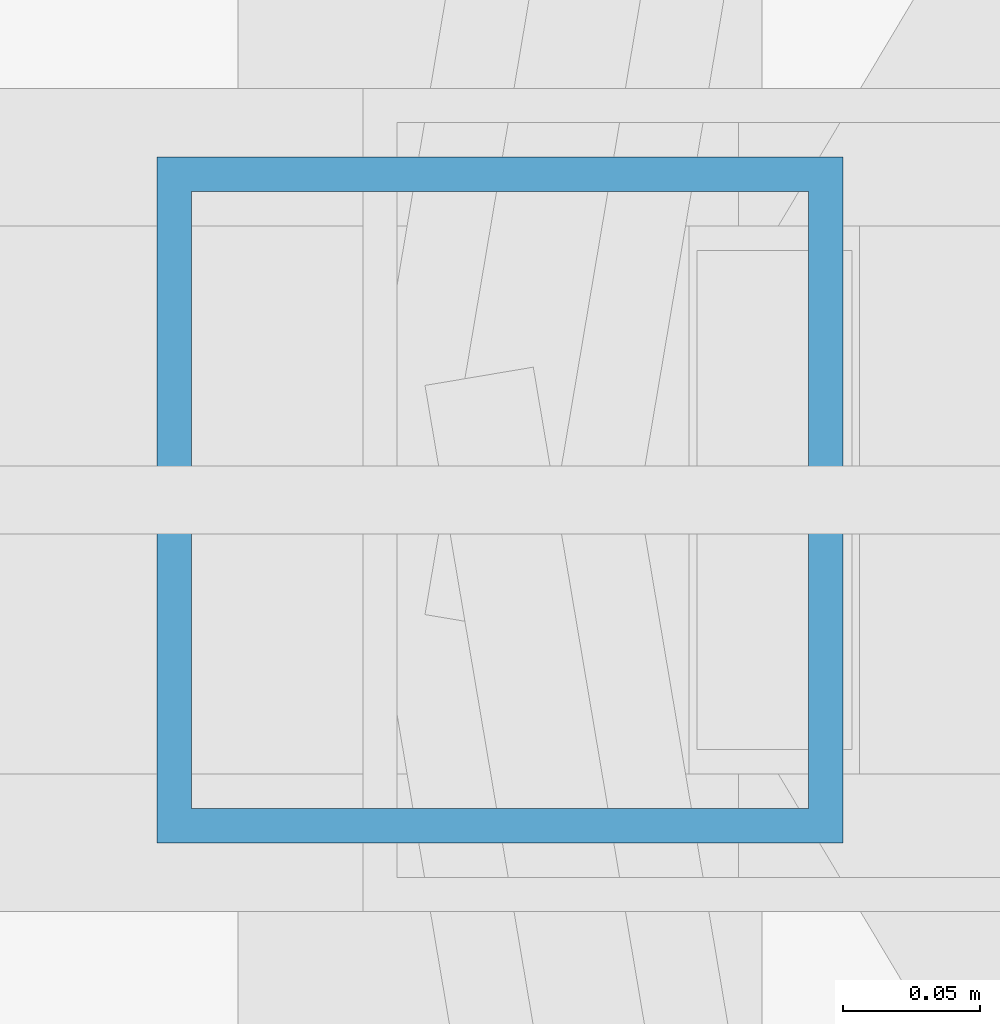
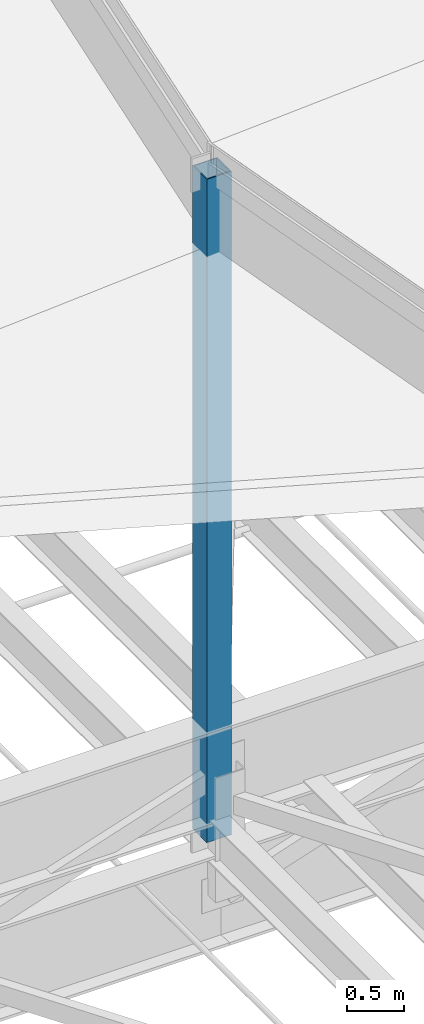
# One storey, part 29 of 184: 1 member.
"""IFC4 building model written with IfcOpenShell, lengths in metres."""

from ifc_helpers import new_model, si_unit, direction, frame, origin, origin_2d, place, context, subcontext, project, spatial, hollow_rectangle, extrude, material, material_profile, profile_set, type_object, element, save


model = new_model("IFC4")

# Units and contexts
model_context = context("Model", 3, precision=1e-05, world=origin(), true_north=direction((0.0, 1.0)))
body_context = subcontext(model_context, "Body", "Model", "MODEL_VIEW")
ifc_project = project(units=[si_unit("LENGTHUNIT", "METRE"), si_unit("AREAUNIT", "SQUARE_METRE"), si_unit("VOLUMEUNIT", "CUBIC_METRE"), si_unit("PLANEANGLEUNIT", "RADIAN"), si_unit("MASSUNIT", "GRAM", prefix="KILO")], contexts=[model_context])

# Site, building, storey
site_placement = place(None, origin())
site = spatial("IfcSite", under=ifc_project, at=site_placement, CompositionType="ELEMENT")
building_placement = place(site_placement, origin())
building = spatial("IfcBuilding", under=site, at=building_placement, Name="Kalgoora Escarpment Arena", CompositionType="ELEMENT")
storey_placement = place(building_placement, frame((0.0, 0.0, 27.60009765625)))
storey = spatial("IfcBuildingStorey", under=building, at=storey_placement, Name="Roof Level", CompositionType="ELEMENT", Elevation=27.60009765625)

# Member
ifc_material = material(Name="Structural steel C450 (450 MPa)", Category="steel")
ifc_material_profile = material_profile(ifc_material, hollow_rectangle(XDim=0.25, YDim=0.25, WallThickness=0.012451171875, at=origin_2d()))
ifc_profile_set = profile_set([ifc_material_profile], Name="Structural steel C450 (450 MPa)")
member_type = type_object("IfcMemberType", Name="MEM-PETAL-POST", PredefinedType="POST", material=ifc_profile_set)
member_placement = place(storey_placement, frame((76.39990234375, 64.0, -0.960205078125), z_axis=(0.0, 0.0, 1.0), x_axis=(1.0, 0.0, 0.0)))
element("IfcMember", 1, at=member_placement, inside=storey, type_object=member_type, Name="Petal RP4 vertical support post S13", PredefinedType="POST", context=body_context, shape_type="SweptSolid", body=[
    extrude(hollow_rectangle(XDim=0.25, YDim=0.25, WallThickness=0.012451171875, at=origin_2d()), origin(), (0.0, 0.0, 1.0), 7.105224609375),
])

save(model, "model.ifc")
